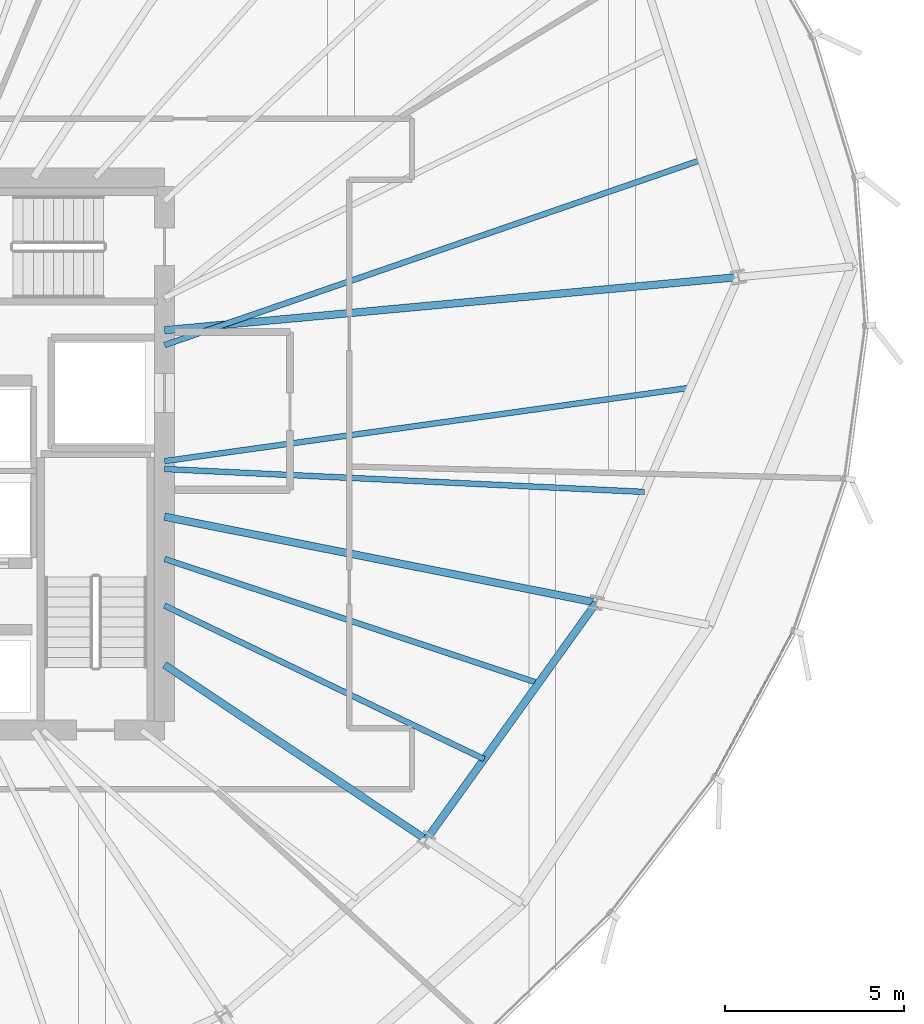
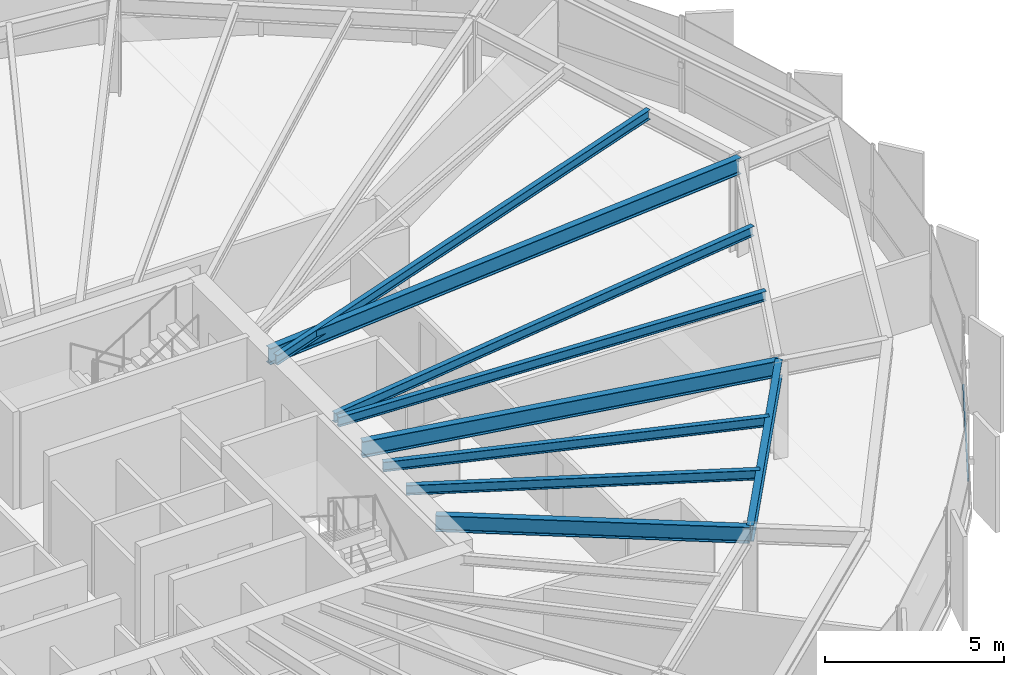
# One storey, part 14 of 34: 9 beams, 1 member, 1 element without a shape of its own.
"""IFC4 building model written with IfcOpenShell, lengths in metres."""

from ifc_helpers import new_model, si_unit, direction, frame, origin, origin_2d, place, context, subcontext, project, spatial, hollow_rectangle, i_section, extrude, source, transform, mapped, material, layer, layer_set, material_profile, profile_set, type_object, element, aggregate, save


model = new_model("IFC4")

# Units and contexts
model_context = context("Model", 3, precision=1e-05, world=origin(), true_north=direction((0.0, 1.0)))
body_context = subcontext(model_context, "Body", "Model", "MODEL_VIEW")
ifc_project = project(units=[si_unit("LENGTHUNIT", "METRE"), si_unit("AREAUNIT", "SQUARE_METRE"), si_unit("VOLUMEUNIT", "CUBIC_METRE"), si_unit("PLANEANGLEUNIT", "RADIAN"), si_unit("MASSUNIT", "GRAM", prefix="KILO"), si_unit("THERMODYNAMICTEMPERATUREUNIT", "KELVIN")], contexts=[model_context])

# Site, building, storey
site_placement = place(None, origin())
site = spatial("IfcSite", under=ifc_project, at=site_placement, CompositionType="ELEMENT")
building_placement = place(site_placement, origin())
building = spatial("IfcBuilding", under=site, at=building_placement, Name="Kethvar Cultural Tower", CompositionType="ELEMENT")
storey_placement = place(building_placement, frame((0.0, 0.0, 128.800048828125)))
storey = spatial("IfcBuildingStorey", under=building, at=storey_placement, Name="L32", CompositionType="ELEMENT", Elevation=128.800048828125)

# Beams
ifc_material_1 = material(Name="Steel S355J2", Category="steel")
ifc_material_profile_1 = material_profile(ifc_material_1, i_section(OverallWidth=0.2099609375, OverallDepth=0.550048828125, WebThickness=0.010986328125, FlangeThickness=0.01708984375, FilletRadius=0.02392578125, at=origin_2d()), Name="Steel S355J2 — IPE550")
ifc_profile_set_1 = profile_set([ifc_material_profile_1], Name="Steel S355J2 — IPE550")
beam_type_1 = type_object("IfcBeamType", Name="BM-IPE550", PredefinedType="BEAM", material=ifc_profile_set_1)
shared_shape_1 = source(origin(), body_context, "Body", "SweptSolid", [
    extrude(i_section(OverallWidth=0.2099609375, OverallDepth=0.550048828125, WebThickness=0.010986328125, FlangeThickness=0.01708984375, FilletRadius=0.02392578125, at=origin_2d()), origin(), (0.0, 0.0, 1.0), 16.071044921875),
])
beam_1_placement = place(storey_placement, frame((55.60009765625, 31.25, 3.02294921875), z_axis=(0.995731009363, 0.092302529718, 0.0), x_axis=(-0.092302529718, 0.995731009363, 0.0)))
element("IfcBeam", 1, at=beam_1_placement, inside=storey, type_object=beam_type_1, Name="L32 Primary Radial Beam RB-01", PredefinedType="BEAM", context=body_context, shape_type="MappedRepresentation", body=[
    mapped(shared_shape_1, transform((0.0, 0.0, 0.0), scale=1.0)),
])
shared_shape_2 = source(origin(), body_context, "Body", "SweptSolid", [
    extrude(i_section(OverallWidth=0.2099609375, OverallDepth=0.550048828125, WebThickness=0.010986328125, FlangeThickness=0.01708984375, FilletRadius=0.02392578125, at=origin_2d()), origin(), (0.0, 0.0, 1.0), 8.77783203125),
])
beam_2_placement = place(storey_placement, frame((55.60009765625, 21.919921875, 3.02294921875), z_axis=(0.831472186778, -0.555566380026, 0.0), x_axis=(0.555566380026, 0.831472186778, 0.0)))
element("IfcBeam", 2, at=beam_2_placement, inside=storey, type_object=beam_type_1, Name="L32 Primary Radial Beam RB-15", PredefinedType="BEAM", context=body_context, shape_type="MappedRepresentation", body=[
    mapped(shared_shape_2, transform((0.0, 0.0, 0.0), scale=1.0)),
])
shared_shape_3 = source(origin(), body_context, "Body", "SweptSolid", [
    extrude(i_section(OverallWidth=0.2099609375, OverallDepth=0.550048828125, WebThickness=0.010986328125, FlangeThickness=0.01708984375, FilletRadius=0.02392578125, at=origin_2d()), origin(), (0.0, 0.0, 1.0), 12.2744140625),
])
beam_3_placement = place(storey_placement, frame((55.60009765625, 26.049560546875, 3.02294921875), z_axis=(0.980782878234, -0.195102398146, 0.0), x_axis=(0.195102398146, 0.980782878234, 0.0)))
element("IfcBeam", 3, at=beam_3_placement, inside=storey, type_object=beam_type_1, Name="L32 Primary Radial Beam RB-16", PredefinedType="BEAM", context=body_context, shape_type="MappedRepresentation", body=[
    mapped(shared_shape_3, transform((0.0, 0.0, 0.0), scale=1.0)),
])
ifc_material_profile_2 = material_profile(ifc_material_1, i_section(OverallWidth=0.159912109375, OverallDepth=0.330078125, WebThickness=0.007568359375, FlangeThickness=0.011474609375, FilletRadius=0.01806640625, at=origin_2d()), Name="Steel S355J2 — IPE330")
ifc_profile_set_2 = profile_set([ifc_material_profile_2], Name="Steel S355J2 — IPE330")
beam_type_2 = type_object("IfcBeamType", Name="BM-J330", PredefinedType="JOIST", material=ifc_profile_set_2)
shared_shape_4 = source(origin(), body_context, "Body", "SweptSolid", [
    extrude(i_section(OverallWidth=0.159912109375, OverallDepth=0.330078125, WebThickness=0.007568359375, FlangeThickness=0.011474609375, FilletRadius=0.01806640625, at=origin_2d()), origin(), (0.0, 0.0, 1.0), 15.836669921875),
])
beam_4_placement = place(storey_placement, frame((55.60009765625, 30.836181640625, 3.133056640625), z_axis=(0.945315135904, 0.326158387644, 0.0), x_axis=(-0.326158387644, 0.945315135904, 0.0)))
element("IfcBeam", 4, at=beam_4_placement, inside=storey, type_object=beam_type_2, Name="L32 Composite Floor Joist J-01A", PredefinedType="JOIST", context=body_context, shape_type="MappedRepresentation", body=[
    mapped(shared_shape_4, transform((0.0, 0.0, 0.0), scale=1.0)),
])
shared_shape_5 = source(origin(), body_context, "Body", "SweptSolid", [
    extrude(i_section(OverallWidth=0.2099609375, OverallDepth=0.550048828125, WebThickness=0.010986328125, FlangeThickness=0.01708984375, FilletRadius=0.02392578125, at=origin_2d()), origin(), (0.0, 0.0, 1.0), 8.13525390625),
])
beam_5_placement = place(storey_placement, frame((62.898681640625, 17.043212890625, 3.02294921875), z_axis=(0.582656731995, 0.812718359988, 0.0), x_axis=(-0.812718359988, 0.582656731995, 0.0)))
element("IfcBeam", 5, at=beam_5_placement, inside=storey, type_object=beam_type_1, Name="L32 Column Ring Tie Beam CR-15", PredefinedType="BEAM", context=body_context, shape_type="MappedRepresentation", body=[
    mapped(shared_shape_5, transform((0.0, 0.0, 0.0), scale=1.0)),
])
shared_shape_6 = source(origin(), body_context, "Body", "SweptSolid", [
    extrude(i_section(OverallWidth=0.159912109375, OverallDepth=0.330078125, WebThickness=0.007568359375, FlangeThickness=0.011474609375, FilletRadius=0.01806640625, at=origin_2d()), origin(), (0.0, 0.0, 1.0), 9.885009765625),
])
beam_6_placement = place(storey_placement, frame((55.60009765625, 23.572021484375, 3.133056640625), z_axis=(0.901369611334, -0.43305060185, 0.0), x_axis=(0.43305060185, 0.901369611334, 0.0)))
element("IfcBeam", 6, at=beam_6_placement, inside=storey, type_object=beam_type_2, Name="L32 Composite Floor Joist J-15A", PredefinedType="JOIST", context=body_context, shape_type="MappedRepresentation", body=[
    mapped(shared_shape_6, transform((0.0, 0.0, 0.0), scale=1.0)),
])
shared_shape_7 = source(origin(), body_context, "Body", "SweptSolid", [
    extrude(i_section(OverallWidth=0.159912109375, OverallDepth=0.330078125, WebThickness=0.007568359375, FlangeThickness=0.011474609375, FilletRadius=0.01806640625, at=origin_2d()), origin(), (0.0, 0.0, 1.0), 10.98828125),
])
beam_7_placement = place(storey_placement, frame((55.60009765625, 24.8740234375, 3.133056640625), z_axis=(0.948918548228, -0.315521138481, 0.0), x_axis=(0.315521138481, 0.948918548228, 0.0)))
element("IfcBeam", 7, at=beam_7_placement, inside=storey, type_object=beam_type_2, Name="L32 Composite Floor Joist J-15B", PredefinedType="JOIST", context=body_context, shape_type="MappedRepresentation", body=[
    mapped(shared_shape_7, transform((0.0, 0.0, 0.0), scale=1.0)),
])
shared_shape_8 = source(origin(), body_context, "Body", "SweptSolid", [
    extrude(i_section(OverallWidth=0.159912109375, OverallDepth=0.330078125, WebThickness=0.007568359375, FlangeThickness=0.011474609375, FilletRadius=0.01806640625, at=origin_2d()), origin(), (0.0, 0.0, 1.0), 13.4013671875),
])
beam_8_placement = place(storey_placement, frame((55.60009765625, 27.380126953125, 3.133056640625), z_axis=(0.998864631653, -0.047638719894, 0.0), x_axis=(0.047638719894, 0.998864631653, 0.0)))
element("IfcBeam", 8, at=beam_8_placement, inside=storey, type_object=beam_type_2, Name="L32 Composite Floor Joist J-16A", PredefinedType="JOIST", context=body_context, shape_type="MappedRepresentation", body=[
    mapped(shared_shape_8, transform((0.0, 0.0, 0.0), scale=1.0)),
])
shared_shape_9 = source(origin(), body_context, "Body", "SweptSolid", [
    extrude(i_section(OverallWidth=0.159912109375, OverallDepth=0.330078125, WebThickness=0.007568359375, FlangeThickness=0.011474609375, FilletRadius=0.01806640625, at=origin_2d()), origin(), (0.0, 0.0, 1.0), 14.797119140625),
])
beam_9_placement = place(storey_placement, frame((55.60009765625, 27.60009765625, 3.133056640625), z_axis=(0.990388450305, 0.138313836986, 0.0), x_axis=(-0.138313836986, 0.990388450305, 0.0)))
element("IfcBeam", 9, at=beam_9_placement, inside=storey, type_object=beam_type_2, Name="L32 Composite Floor Joist J-16B", PredefinedType="JOIST", context=body_context, shape_type="MappedRepresentation", body=[
    mapped(shared_shape_9, transform((0.0, 0.0, 0.0), scale=1.0)),
])

# Curtain wall, member
ifc_material_2 = material(Name="Aluminium 6063-T6", Category="aluminium")
ifc_layer = layer(ifc_material_2, 0.179931640625, Name="Aluminium 6063-T6", Category="aluminium")
ifc_layer_set = layer_set([ifc_layer], Name="Aluminium 6063-T6 (180 mm)")
curtain_wall_type = type_object("IfcCurtainWallType", Name="CW-SYS-04-Z34", PredefinedType="NOTDEFINED", material=ifc_layer_set)
curtain_wall_placement = place(storey_placement, origin())
curtain_wall = element("IfcCurtainWall", 10, at=curtain_wall_placement, inside=storey, type_object=curtain_wall_type, Name="L32 Curtain Wall Run 06", PredefinedType="NOTDEFINED")
ifc_material_profile_3 = material_profile(ifc_material_2, hollow_rectangle(XDim=0.050048828125, YDim=0.10009765625, WallThickness=0.00390625, at=origin_2d()), Name="Aluminium 6063-T6 — RHS100x50x4")
ifc_profile_set_3 = profile_set([ifc_material_profile_3], Name="Aluminium 6063-T6 — RHS100x50x4")
member_type = type_object("IfcMemberType", Name="CW-SYS-04-Z34-TRN", PredefinedType="USERDEFINED", material=ifc_profile_set_3)
shared_shape_10 = source(origin(), body_context, "Body", "SweptSolid", [
    extrude(hollow_rectangle(XDim=0.050048828125, YDim=0.10009765625, WallThickness=0.00390625, at=origin_2d()), origin(), (0.0, 0.0, 1.0), 4.579345703125),
])
member_placement = place(storey_placement, frame((70.939697265625, 18.82568359375, 0.949951171875), z_axis=(0.475498077875, 0.879716760064, 0.0), x_axis=(-0.879716760064, 0.475498077875, 0.0)))
member = element("IfcMember", 11, at=member_placement, type_object=member_type, Name="CW-L32-R06 Transom 2", ObjectType="TRANSOM", PredefinedType="USERDEFINED", context=body_context, shape_type="MappedRepresentation", body=[
    mapped(shared_shape_10, transform((0.0, 0.0, 0.0), scale=1.0)),
])
aggregate(curtain_wall, [member])

save(model, "model.ifc")
